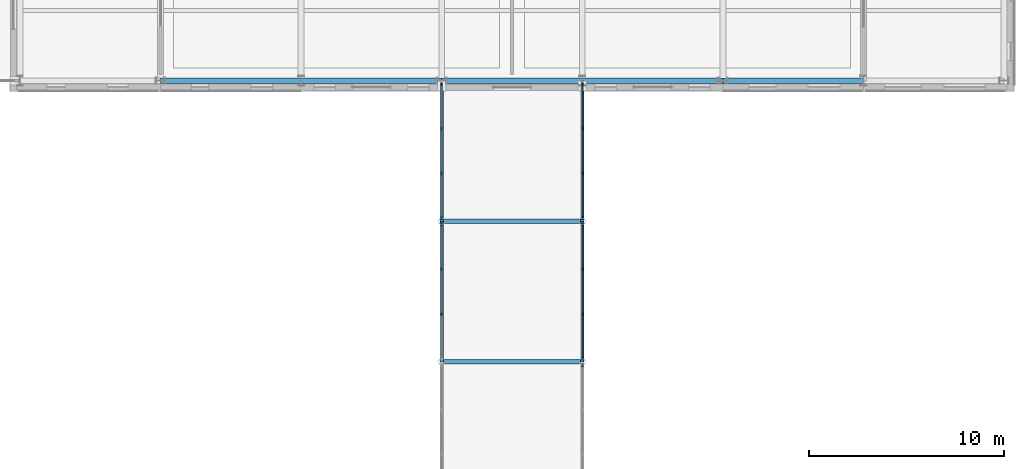
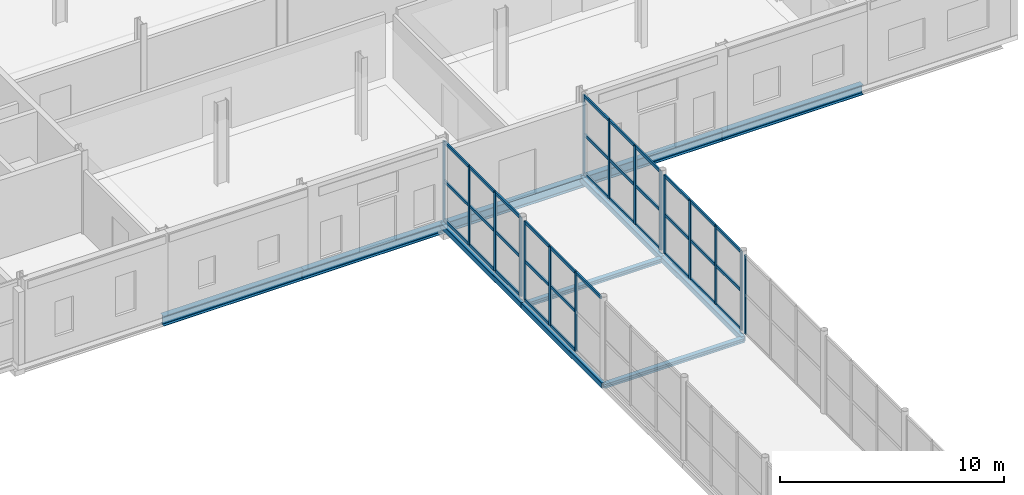
# One storey, part 37 of 92: 50 members, 11 beams, 5 elements without a shape of their own.
"""IFC4 building model written with IfcOpenShell, lengths in metres."""

from ifc_helpers import new_model, si_unit, direction, frame, origin, origin_2d, place, context, subcontext, project, spatial, rectangle, hollow_rectangle, i_section, extrude, material, material_profile, profile_set, type_object, element, aggregate, save


model = new_model("IFC4")

# Units and contexts
model_context = context("Model", 3, precision=1e-05, world=origin(), true_north=direction((0.0, 1.0)))
body_context = subcontext(model_context, "Body", "Model", "MODEL_VIEW")
ifc_project = project(units=[si_unit("LENGTHUNIT", "METRE"), si_unit("AREAUNIT", "SQUARE_METRE"), si_unit("VOLUMEUNIT", "CUBIC_METRE"), si_unit("PLANEANGLEUNIT", "RADIAN"), si_unit("MASSUNIT", "GRAM", prefix="KILO")], contexts=[model_context])

# Site, building, storey
site_placement = place(None, origin())
site = spatial("IfcSite", under=ifc_project, at=site_placement, CompositionType="ELEMENT")
building_placement = place(site_placement, origin())
building = spatial("IfcBuilding", under=site, at=building_placement, Name="Zlatovets Crest Museum", CompositionType="ELEMENT")
storey_placement = place(building_placement, origin())
storey = spatial("IfcBuildingStorey", under=building, at=storey_placement, Name="L00", CompositionType="ELEMENT", Elevation=0.0)

# Beams
ifc_material_1 = material(Name="Structural steel S355J2", Category="steel")
ifc_material_profile_1 = material_profile(ifc_material_1, i_section(OverallWidth=0.239990234375, OverallDepth=0.22998046875, WebThickness=0.007568359375, FlangeThickness=0.011962890625, FilletRadius=0.02099609375, at=origin_2d()), Name="HEA 240")
ifc_profile_set_1 = profile_set([ifc_material_profile_1], Name="Structural steel S355J2")
beam_type_1 = type_object("IfcBeamType", Name="Beam_B-06", PredefinedType="BEAM", material=ifc_profile_set_1)
for number, where, z_axis, x_axis, name in (
    (1, (79.199951171875, 72.0, -0.39990234375), (1.0, 0.0, 0.0), (0.0, 1.0, 0.0), "Central Sculpture Court Cloister and Skywalk L00 Cross Beam"),
    (2, (79.199951171875, 79.199951171875, -0.39990234375), (1.0, 0.0, 0.0), (0.0, 1.0, 0.0), "Central Sculpture Court Cloister and Skywalk L00 Cross Beam"),
):
    element("IfcBeam", number, at=place(storey_placement, frame(where, z_axis=z_axis, x_axis=x_axis)), inside=storey, type_object=beam_type_1, Name=name, PredefinedType="BEAM", context=body_context, shape_type="SweptSolid", body=[
        extrude(i_section(OverallWidth=0.239990234375, OverallDepth=0.22998046875, WebThickness=0.007568359375, FlangeThickness=0.011962890625, FilletRadius=0.02099609375, at=origin_2d()), origin(), (0.0, 0.0, 1.0), 7.199951171875),
    ])
ifc_material_profile_2 = material_profile(ifc_material_1, i_section(OverallWidth=0.300048828125, OverallDepth=0.5400390625, WebThickness=0.012451171875, FlangeThickness=0.02392578125, FilletRadius=0.027099609375, at=origin_2d()), Name="HEA 550")
ifc_profile_set_2 = profile_set([ifc_material_profile_2], Name="Structural steel S355J2")
beam_type_2 = type_object("IfcBeamType", Name="Beam_B-09", PredefinedType="BEAM", material=ifc_profile_set_2)
for number, where, z_axis, x_axis, name in (
    (3, (64.800048828125, 86.39990234375, -0.52001953125), (1.0, 0.0, 0.0), (0.0, 1.0, 0.0), "V1 L00 Primary Girder B-09"),
    (4, (72.0, 86.39990234375, -0.52001953125), (1.0, 0.0, 0.0), (0.0, 1.0, 0.0), "V1 L00 Primary Girder B-09"),
    (5, (79.199951171875, 86.39990234375, -0.52001953125), (1.0, 0.0, 0.0), (0.0, 1.0, 0.0), "V1 L00 Primary Girder B-09"),
):
    element("IfcBeam", number, at=place(storey_placement, frame(where, z_axis=z_axis, x_axis=x_axis)), inside=storey, type_object=beam_type_2, Name=name, PredefinedType="BEAM", context=body_context, shape_type="SweptSolid", body=[
        extrude(i_section(OverallWidth=0.300048828125, OverallDepth=0.5400390625, WebThickness=0.012451171875, FlangeThickness=0.02392578125, FilletRadius=0.027099609375, at=origin_2d()), origin(), (0.0, 0.0, 1.0), 7.199951171875),
    ])
beam_1_placement = place(storey_placement, frame((86.39990234375, 86.39990234375, -0.52001953125), z_axis=(1.0, 0.0, 0.0), x_axis=(0.0, 1.0, 0.0)))
element("IfcBeam", 6, at=beam_1_placement, inside=storey, type_object=beam_type_2, Name="V1 L00 Primary Girder B-09", PredefinedType="BEAM", context=body_context, shape_type="SweptSolid", body=[
    extrude(i_section(OverallWidth=0.300048828125, OverallDepth=0.5400390625, WebThickness=0.012451171875, FlangeThickness=0.02392578125, FilletRadius=0.027099609375, at=origin_2d()), origin(), (0.0, 0.0, 1.0), 7.2001953125),
])
beam_2_placement = place(storey_placement, frame((93.60009765625, 86.39990234375, -0.52001953125), z_axis=(1.0, 0.0, 0.0), x_axis=(0.0, 1.0, 0.0)))
element("IfcBeam", 7, at=beam_2_placement, inside=storey, type_object=beam_type_2, Name="V1 L00 Primary Girder B-09", PredefinedType="BEAM", context=body_context, shape_type="SweptSolid", body=[
    extrude(i_section(OverallWidth=0.300048828125, OverallDepth=0.5400390625, WebThickness=0.012451171875, FlangeThickness=0.02392578125, FilletRadius=0.027099609375, at=origin_2d()), origin(), (0.0, 0.0, 1.0), 7.199951171875),
])
ifc_material_profile_3 = material_profile(ifc_material_1, hollow_rectangle(XDim=0.199951171875, YDim=0.300048828125, WallThickness=0.012451171875, InnerFilletRadius=0.012451171875, OuterFilletRadius=0.02490234375, at=origin_2d()), Name="RHS 200x300x12.5")
ifc_profile_set_3 = profile_set([ifc_material_profile_3], Name="Structural steel S355J2")
beam_type_3 = type_object("IfcBeamType", Name="Beam_BRG-01", PredefinedType="BEAM", material=ifc_profile_set_3)
for number, where, z_axis, x_axis, name in (
    (8, (79.199951171875, 72.0, -0.39990234375), (0.0, 1.0, 0.0), (-1.0, 0.0, 0.0), "Central Sculpture Court Cloister and Skywalk L00 Stringer Beam"),
    (9, (79.199951171875, 79.199951171875, -0.39990234375), (0.0, 1.0, 0.0), (-1.0, 0.0, 0.0), "Central Sculpture Court Cloister and Skywalk L00 Stringer Beam"),
    (10, (86.39990234375, 72.0, -0.39990234375), (0.0, 1.0, 0.0), (-1.0, 0.0, 0.0), "Central Sculpture Court Cloister and Skywalk L00 Stringer Beam"),
    (11, (86.39990234375, 79.199951171875, -0.39990234375), (0.0, 1.0, 0.0), (-1.0, 0.0, 0.0), "Central Sculpture Court Cloister and Skywalk L00 Stringer Beam"),
):
    element("IfcBeam", number, at=place(storey_placement, frame(where, z_axis=z_axis, x_axis=x_axis)), inside=storey, type_object=beam_type_3, Name=name, PredefinedType="BEAM", context=body_context, shape_type="SweptSolid", body=[
        extrude(hollow_rectangle(XDim=0.199951171875, YDim=0.300048828125, WallThickness=0.012451171875, InnerFilletRadius=0.012451171875, OuterFilletRadius=0.02490234375, at=origin_2d()), origin(), (0.0, 0.0, 1.0), 7.199951171875),
    ])

# Curtain wall, members
ifc_material_2 = material(Name="Bronze-anodised aluminium and low-E triple glass", Category="aluminium")
curtain_wall_type = type_object("IfcCurtainWallType", Name="CW_CW-BR5-L00-S69", PredefinedType="NOTDEFINED", material=ifc_material_2)
curtain_wall_1_placement = place(storey_placement, origin())
curtain_wall_1 = element("IfcCurtainWall", 12, at=curtain_wall_1_placement, inside=storey, type_object=curtain_wall_type, Name="Central Sculpture Court Cloister and Skywalk L00 Glazed Bridge Curtain Wall", PredefinedType="NOTDEFINED")
ifc_material_3 = material(Name="Bronze-anodised aluminium EN AW-6060", Category="aluminium")
ifc_material_profile_4 = material_profile(ifc_material_3, rectangle(XDim=0.080078125, YDim=0.159912109375, at=origin_2d()), Name="ALU 80x160")
ifc_profile_set_4 = profile_set([ifc_material_profile_4], Name="Bronze-anodised aluminium EN AW-6060")
member_type_1 = type_object("IfcMemberType", Name="CWMull_M1", PredefinedType="MULLION", material=ifc_profile_set_4)
member_1_placement = place(storey_placement, frame((79.199951171875, 74.449951171875, 0.0), z_axis=(0.0, 0.0, 1.0), x_axis=(-1.0, 0.0, 0.0)))
member_1 = element("IfcMember", 13, at=member_1_placement, type_object=member_type_1, Name="CW-BR5-L00-S69 mullion 2", PredefinedType="MULLION", context=body_context, shape_type="SweptSolid", body=[
    extrude(rectangle(XDim=0.080078125, YDim=0.159912109375, at=origin_2d()), origin(), (0.0, 0.0, 1.0), 4.280029296875),
])
member_2_placement = place(storey_placement, frame((79.199951171875, 76.75, 0.0), z_axis=(0.0, 0.0, 1.0), x_axis=(-1.0, 0.0, 0.0)))
member_2 = element("IfcMember", 14, at=member_2_placement, type_object=member_type_1, Name="CW-BR5-L00-S69 mullion 3", PredefinedType="MULLION", context=body_context, shape_type="SweptSolid", body=[
    extrude(rectangle(XDim=0.080078125, YDim=0.159912109375, at=origin_2d()), origin(), (0.0, 0.0, 1.0), 4.280029296875),
])
member_3_placement = place(storey_placement, frame((79.199951171875, 79.02001953125, 0.0), z_axis=(0.0, 0.0, 1.0), x_axis=(-1.0, 0.0, 0.0)))
member_3 = element("IfcMember", 15, at=member_3_placement, type_object=member_type_1, Name="CW-BR5-L00-S69 mullion 4", PredefinedType="MULLION", context=body_context, shape_type="SweptSolid", body=[
    extrude(rectangle(XDim=0.080078125, YDim=0.159912109375, at=origin_2d()), origin(), (0.0, 0.0, 1.0), 4.280029296875),
])

curtain_wall_2_placement = place(storey_placement, origin())
curtain_wall_2 = element("IfcCurtainWall", 16, at=curtain_wall_2_placement, inside=storey, type_object=curtain_wall_type, Name="Central Sculpture Court Cloister and Skywalk L00 Glazed Bridge Curtain Wall", PredefinedType="NOTDEFINED")
member_4_placement = place(storey_placement, frame((79.199951171875, 79.3798828125, 0.0), z_axis=(0.0, 0.0, 1.0), x_axis=(-1.0, 0.0, 0.0)))
member_4 = element("IfcMember", 17, at=member_4_placement, type_object=member_type_1, Name="CW-BR5-L00-S69 mullion 1", PredefinedType="MULLION", context=body_context, shape_type="SweptSolid", body=[
    extrude(rectangle(XDim=0.080078125, YDim=0.159912109375, at=origin_2d()), origin(), (0.0, 0.0, 1.0), 4.280029296875),
])
member_5_placement = place(storey_placement, frame((79.199951171875, 81.64990234375, 0.0), z_axis=(0.0, 0.0, 1.0), x_axis=(-1.0, 0.0, 0.0)))
member_5 = element("IfcMember", 18, at=member_5_placement, type_object=member_type_1, Name="CW-BR5-L00-S69 mullion 2", PredefinedType="MULLION", context=body_context, shape_type="SweptSolid", body=[
    extrude(rectangle(XDim=0.080078125, YDim=0.159912109375, at=origin_2d()), origin(), (0.0, 0.0, 1.0), 4.280029296875),
])
member_6_placement = place(storey_placement, frame((79.199951171875, 83.949951171875, 0.0), z_axis=(0.0, 0.0, 1.0), x_axis=(-1.0, 0.0, 0.0)))
member_6 = element("IfcMember", 19, at=member_6_placement, type_object=member_type_1, Name="CW-BR5-L00-S69 mullion 3", PredefinedType="MULLION", context=body_context, shape_type="SweptSolid", body=[
    extrude(rectangle(XDim=0.080078125, YDim=0.159912109375, at=origin_2d()), origin(), (0.0, 0.0, 1.0), 4.280029296875),
])
member_7_placement = place(storey_placement, frame((79.199951171875, 86.219970703125, 0.0), z_axis=(0.0, 0.0, 1.0), x_axis=(-1.0, 0.0, 0.0)))
member_7 = element("IfcMember", 20, at=member_7_placement, type_object=member_type_1, Name="CW-BR5-L00-S69 mullion 4", PredefinedType="MULLION", context=body_context, shape_type="SweptSolid", body=[
    extrude(rectangle(XDim=0.080078125, YDim=0.159912109375, at=origin_2d()), origin(), (0.0, 0.0, 1.0), 4.280029296875),
])

# Curtain wall, member
curtain_wall_3_placement = place(storey_placement, origin())
curtain_wall_3 = element("IfcCurtainWall", 21, at=curtain_wall_3_placement, inside=storey, type_object=curtain_wall_type, Name="Central Sculpture Court Cloister and Skywalk L00 Glazed Bridge Curtain Wall", PredefinedType="NOTDEFINED")
member_8_placement = place(storey_placement, frame((86.39990234375, 71.820068359375, 0.0), z_axis=(0.0, 0.0, 1.0), x_axis=(-1.0, 0.0, 0.0)))
member_8 = element("IfcMember", 22, at=member_8_placement, type_object=member_type_1, Name="CW-BR5-L00-S69 mullion 4", PredefinedType="MULLION", context=body_context, shape_type="SweptSolid", body=[
    extrude(rectangle(XDim=0.080078125, YDim=0.159912109375, at=origin_2d()), origin(), (0.0, 0.0, 1.0), 4.280029296875),
])
aggregate(curtain_wall_3, [member_8])

# Curtain wall, members
curtain_wall_4_placement = place(storey_placement, origin())
curtain_wall_4 = element("IfcCurtainWall", 23, at=curtain_wall_4_placement, inside=storey, type_object=curtain_wall_type, Name="Central Sculpture Court Cloister and Skywalk L00 Glazed Bridge Curtain Wall", PredefinedType="NOTDEFINED")
member_9_placement = place(storey_placement, frame((86.39990234375, 72.179931640625, 0.0), z_axis=(0.0, 0.0, 1.0), x_axis=(-1.0, 0.0, 0.0)))
member_9 = element("IfcMember", 24, at=member_9_placement, type_object=member_type_1, Name="CW-BR5-L00-S69 mullion 1", PredefinedType="MULLION", context=body_context, shape_type="SweptSolid", body=[
    extrude(rectangle(XDim=0.080078125, YDim=0.159912109375, at=origin_2d()), origin(), (0.0, 0.0, 1.0), 4.280029296875),
])
member_10_placement = place(storey_placement, frame((86.39990234375, 74.449951171875, 0.0), z_axis=(0.0, 0.0, 1.0), x_axis=(-1.0, 0.0, 0.0)))
member_10 = element("IfcMember", 25, at=member_10_placement, type_object=member_type_1, Name="CW-BR5-L00-S69 mullion 2", PredefinedType="MULLION", context=body_context, shape_type="SweptSolid", body=[
    extrude(rectangle(XDim=0.080078125, YDim=0.159912109375, at=origin_2d()), origin(), (0.0, 0.0, 1.0), 4.280029296875),
])
member_11_placement = place(storey_placement, frame((86.39990234375, 76.75, 0.0), z_axis=(0.0, 0.0, 1.0), x_axis=(-1.0, 0.0, 0.0)))
member_11 = element("IfcMember", 26, at=member_11_placement, type_object=member_type_1, Name="CW-BR5-L00-S69 mullion 3", PredefinedType="MULLION", context=body_context, shape_type="SweptSolid", body=[
    extrude(rectangle(XDim=0.080078125, YDim=0.159912109375, at=origin_2d()), origin(), (0.0, 0.0, 1.0), 4.280029296875),
])
member_12_placement = place(storey_placement, frame((86.39990234375, 79.02001953125, 0.0), z_axis=(0.0, 0.0, 1.0), x_axis=(-1.0, 0.0, 0.0)))
member_12 = element("IfcMember", 27, at=member_12_placement, type_object=member_type_1, Name="CW-BR5-L00-S69 mullion 4", PredefinedType="MULLION", context=body_context, shape_type="SweptSolid", body=[
    extrude(rectangle(XDim=0.080078125, YDim=0.159912109375, at=origin_2d()), origin(), (0.0, 0.0, 1.0), 4.280029296875),
])

curtain_wall_5_placement = place(storey_placement, origin())
curtain_wall_5 = element("IfcCurtainWall", 28, at=curtain_wall_5_placement, inside=storey, type_object=curtain_wall_type, Name="Central Sculpture Court Cloister and Skywalk L00 Glazed Bridge Curtain Wall", PredefinedType="NOTDEFINED")
member_13_placement = place(storey_placement, frame((86.39990234375, 79.3798828125, 0.0), z_axis=(0.0, 0.0, 1.0), x_axis=(-1.0, 0.0, 0.0)))
member_13 = element("IfcMember", 29, at=member_13_placement, type_object=member_type_1, Name="CW-BR5-L00-S69 mullion 1", PredefinedType="MULLION", context=body_context, shape_type="SweptSolid", body=[
    extrude(rectangle(XDim=0.080078125, YDim=0.159912109375, at=origin_2d()), origin(), (0.0, 0.0, 1.0), 4.280029296875),
])
member_14_placement = place(storey_placement, frame((86.39990234375, 81.64990234375, 0.0), z_axis=(0.0, 0.0, 1.0), x_axis=(-1.0, 0.0, 0.0)))
member_14 = element("IfcMember", 30, at=member_14_placement, type_object=member_type_1, Name="CW-BR5-L00-S69 mullion 2", PredefinedType="MULLION", context=body_context, shape_type="SweptSolid", body=[
    extrude(rectangle(XDim=0.080078125, YDim=0.159912109375, at=origin_2d()), origin(), (0.0, 0.0, 1.0), 4.280029296875),
])
member_15_placement = place(storey_placement, frame((86.39990234375, 83.949951171875, 0.0), z_axis=(0.0, 0.0, 1.0), x_axis=(-1.0, 0.0, 0.0)))
member_15 = element("IfcMember", 31, at=member_15_placement, type_object=member_type_1, Name="CW-BR5-L00-S69 mullion 3", PredefinedType="MULLION", context=body_context, shape_type="SweptSolid", body=[
    extrude(rectangle(XDim=0.080078125, YDim=0.159912109375, at=origin_2d()), origin(), (0.0, 0.0, 1.0), 4.280029296875),
])
member_16_placement = place(storey_placement, frame((86.39990234375, 86.219970703125, 0.0), z_axis=(0.0, 0.0, 1.0), x_axis=(-1.0, 0.0, 0.0)))
member_16 = element("IfcMember", 32, at=member_16_placement, type_object=member_type_1, Name="CW-BR5-L00-S69 mullion 4", PredefinedType="MULLION", context=body_context, shape_type="SweptSolid", body=[
    extrude(rectangle(XDim=0.080078125, YDim=0.159912109375, at=origin_2d()), origin(), (0.0, 0.0, 1.0), 4.280029296875),
])

# Member
ifc_material_profile_5 = material_profile(ifc_material_3, rectangle(XDim=0.080078125, YDim=0.159912109375, at=origin_2d()), Name="ALU 80x160")
ifc_profile_set_5 = profile_set([ifc_material_profile_5], Name="Bronze-anodised aluminium EN AW-6060")
member_type_2 = type_object("IfcMemberType", Name="CWTrans_T1", PredefinedType="USERDEFINED", material=ifc_profile_set_5)
member_17_placement = place(storey_placement, frame((79.199951171875, 72.2099609375, 4.25), z_axis=(0.0, 1.0, 0.0), x_axis=(-1.0, 0.0, 0.0)))
member_17 = element("IfcMember", 33, at=member_17_placement, type_object=member_type_2, Name="CW-BR5-L00-S69 transom 1.3", ObjectType="TRANSOM", PredefinedType="USERDEFINED", context=body_context, shape_type="SweptSolid", body=[
    extrude(rectangle(XDim=0.080078125, YDim=0.159912109375, at=origin_2d()), origin(), (0.0, 0.0, 1.0), 2.2099609375),
])

member_18_placement = place(storey_placement, frame((79.199951171875, 74.47998046875, 0.030029296875), z_axis=(0.0, 1.0, 0.0), x_axis=(-1.0, 0.0, 0.0)))
member_18 = element("IfcMember", 34, at=member_18_placement, type_object=member_type_2, Name="CW-BR5-L00-S69 transom 2.1", ObjectType="TRANSOM", PredefinedType="USERDEFINED", context=body_context, shape_type="SweptSolid", body=[
    extrude(rectangle(XDim=0.080078125, YDim=0.159912109375, at=origin_2d()), origin(), (0.0, 0.0, 1.0), 2.239990234375),
])

member_19_placement = place(storey_placement, frame((79.199951171875, 74.47998046875, 2.139892578125), z_axis=(0.0, 1.0, 0.0), x_axis=(-1.0, 0.0, 0.0)))
member_19 = element("IfcMember", 35, at=member_19_placement, type_object=member_type_2, Name="CW-BR5-L00-S69 transom 2.2", ObjectType="TRANSOM", PredefinedType="USERDEFINED", context=body_context, shape_type="SweptSolid", body=[
    extrude(rectangle(XDim=0.080078125, YDim=0.159912109375, at=origin_2d()), origin(), (0.0, 0.0, 1.0), 2.239990234375),
])

member_20_placement = place(storey_placement, frame((79.199951171875, 74.47998046875, 4.25), z_axis=(0.0, 1.0, 0.0), x_axis=(-1.0, 0.0, 0.0)))
member_20 = element("IfcMember", 36, at=member_20_placement, type_object=member_type_2, Name="CW-BR5-L00-S69 transom 2.3", ObjectType="TRANSOM", PredefinedType="USERDEFINED", context=body_context, shape_type="SweptSolid", body=[
    extrude(rectangle(XDim=0.080078125, YDim=0.159912109375, at=origin_2d()), origin(), (0.0, 0.0, 1.0), 2.239990234375),
])

member_21_placement = place(storey_placement, frame((79.199951171875, 76.780029296875, 0.030029296875), z_axis=(0.0, 1.0, 0.0), x_axis=(-1.0, 0.0, 0.0)))
member_21 = element("IfcMember", 37, at=member_21_placement, type_object=member_type_2, Name="CW-BR5-L00-S69 transom 3.1", ObjectType="TRANSOM", PredefinedType="USERDEFINED", context=body_context, shape_type="SweptSolid", body=[
    extrude(rectangle(XDim=0.080078125, YDim=0.159912109375, at=origin_2d()), origin(), (0.0, 0.0, 1.0), 2.2099609375),
])

member_22_placement = place(storey_placement, frame((79.199951171875, 76.780029296875, 2.139892578125), z_axis=(0.0, 1.0, 0.0), x_axis=(-1.0, 0.0, 0.0)))
member_22 = element("IfcMember", 38, at=member_22_placement, type_object=member_type_2, Name="CW-BR5-L00-S69 transom 3.2", ObjectType="TRANSOM", PredefinedType="USERDEFINED", context=body_context, shape_type="SweptSolid", body=[
    extrude(rectangle(XDim=0.080078125, YDim=0.159912109375, at=origin_2d()), origin(), (0.0, 0.0, 1.0), 2.2099609375),
])

member_23_placement = place(storey_placement, frame((79.199951171875, 76.780029296875, 4.25), z_axis=(0.0, 1.0, 0.0), x_axis=(-1.0, 0.0, 0.0)))
member_23 = element("IfcMember", 39, at=member_23_placement, type_object=member_type_2, Name="CW-BR5-L00-S69 transom 3.3", ObjectType="TRANSOM", PredefinedType="USERDEFINED", context=body_context, shape_type="SweptSolid", body=[
    extrude(rectangle(XDim=0.080078125, YDim=0.159912109375, at=origin_2d()), origin(), (0.0, 0.0, 1.0), 2.2099609375),
])

aggregate(curtain_wall_1, [member_1, member_2, member_3, member_17, member_18, member_19, member_20, member_21, member_22, member_23])

member_24_placement = place(storey_placement, frame((79.199951171875, 79.409912109375, 0.030029296875), z_axis=(0.0, 1.0, 0.0), x_axis=(-1.0, 0.0, 0.0)))
member_24 = element("IfcMember", 40, at=member_24_placement, type_object=member_type_2, Name="CW-BR5-L00-S69 transom 1.1", ObjectType="TRANSOM", PredefinedType="USERDEFINED", context=body_context, shape_type="SweptSolid", body=[
    extrude(rectangle(XDim=0.080078125, YDim=0.159912109375, at=origin_2d()), origin(), (0.0, 0.0, 1.0), 2.210205078125),
])

member_25_placement = place(storey_placement, frame((79.199951171875, 79.409912109375, 2.139892578125), z_axis=(0.0, 1.0, 0.0), x_axis=(-1.0, 0.0, 0.0)))
member_25 = element("IfcMember", 41, at=member_25_placement, type_object=member_type_2, Name="CW-BR5-L00-S69 transom 1.2", ObjectType="TRANSOM", PredefinedType="USERDEFINED", context=body_context, shape_type="SweptSolid", body=[
    extrude(rectangle(XDim=0.080078125, YDim=0.159912109375, at=origin_2d()), origin(), (0.0, 0.0, 1.0), 2.210205078125),
])

member_26_placement = place(storey_placement, frame((79.199951171875, 79.409912109375, 4.25), z_axis=(0.0, 1.0, 0.0), x_axis=(-1.0, 0.0, 0.0)))
member_26 = element("IfcMember", 42, at=member_26_placement, type_object=member_type_2, Name="CW-BR5-L00-S69 transom 1.3", ObjectType="TRANSOM", PredefinedType="USERDEFINED", context=body_context, shape_type="SweptSolid", body=[
    extrude(rectangle(XDim=0.080078125, YDim=0.159912109375, at=origin_2d()), origin(), (0.0, 0.0, 1.0), 2.210205078125),
])

member_27_placement = place(storey_placement, frame((79.199951171875, 81.679931640625, 0.030029296875), z_axis=(0.0, 1.0, 0.0), x_axis=(-1.0, 0.0, 0.0)))
member_27 = element("IfcMember", 43, at=member_27_placement, type_object=member_type_2, Name="CW-BR5-L00-S69 transom 2.1", ObjectType="TRANSOM", PredefinedType="USERDEFINED", context=body_context, shape_type="SweptSolid", body=[
    extrude(rectangle(XDim=0.080078125, YDim=0.159912109375, at=origin_2d()), origin(), (0.0, 0.0, 1.0), 2.239990234375),
])

member_28_placement = place(storey_placement, frame((79.199951171875, 81.679931640625, 2.139892578125), z_axis=(0.0, 1.0, 0.0), x_axis=(-1.0, 0.0, 0.0)))
member_28 = element("IfcMember", 44, at=member_28_placement, type_object=member_type_2, Name="CW-BR5-L00-S69 transom 2.2", ObjectType="TRANSOM", PredefinedType="USERDEFINED", context=body_context, shape_type="SweptSolid", body=[
    extrude(rectangle(XDim=0.080078125, YDim=0.159912109375, at=origin_2d()), origin(), (0.0, 0.0, 1.0), 2.239990234375),
])

member_29_placement = place(storey_placement, frame((79.199951171875, 81.679931640625, 4.25), z_axis=(0.0, 1.0, 0.0), x_axis=(-1.0, 0.0, 0.0)))
member_29 = element("IfcMember", 45, at=member_29_placement, type_object=member_type_2, Name="CW-BR5-L00-S69 transom 2.3", ObjectType="TRANSOM", PredefinedType="USERDEFINED", context=body_context, shape_type="SweptSolid", body=[
    extrude(rectangle(XDim=0.080078125, YDim=0.159912109375, at=origin_2d()), origin(), (0.0, 0.0, 1.0), 2.239990234375),
])

member_30_placement = place(storey_placement, frame((79.199951171875, 83.97998046875, 0.030029296875), z_axis=(0.0, 1.0, 0.0), x_axis=(-1.0, 0.0, 0.0)))
member_30 = element("IfcMember", 46, at=member_30_placement, type_object=member_type_2, Name="CW-BR5-L00-S69 transom 3.1", ObjectType="TRANSOM", PredefinedType="USERDEFINED", context=body_context, shape_type="SweptSolid", body=[
    extrude(rectangle(XDim=0.080078125, YDim=0.159912109375, at=origin_2d()), origin(), (0.0, 0.0, 1.0), 2.2099609375),
])

member_31_placement = place(storey_placement, frame((79.199951171875, 83.97998046875, 2.139892578125), z_axis=(0.0, 1.0, 0.0), x_axis=(-1.0, 0.0, 0.0)))
member_31 = element("IfcMember", 47, at=member_31_placement, type_object=member_type_2, Name="CW-BR5-L00-S69 transom 3.2", ObjectType="TRANSOM", PredefinedType="USERDEFINED", context=body_context, shape_type="SweptSolid", body=[
    extrude(rectangle(XDim=0.080078125, YDim=0.159912109375, at=origin_2d()), origin(), (0.0, 0.0, 1.0), 2.2099609375),
])

member_32_placement = place(storey_placement, frame((79.199951171875, 83.97998046875, 4.25), z_axis=(0.0, 1.0, 0.0), x_axis=(-1.0, 0.0, 0.0)))
member_32 = element("IfcMember", 48, at=member_32_placement, type_object=member_type_2, Name="CW-BR5-L00-S69 transom 3.3", ObjectType="TRANSOM", PredefinedType="USERDEFINED", context=body_context, shape_type="SweptSolid", body=[
    extrude(rectangle(XDim=0.080078125, YDim=0.159912109375, at=origin_2d()), origin(), (0.0, 0.0, 1.0), 2.2099609375),
])

aggregate(curtain_wall_2, [member_4, member_5, member_6, member_7, member_24, member_25, member_26, member_27, member_28, member_29, member_30, member_31, member_32])

member_33_placement = place(storey_placement, frame((86.39990234375, 72.2099609375, 0.030029296875), z_axis=(0.0, 1.0, 0.0), x_axis=(-1.0, 0.0, 0.0)))
member_33 = element("IfcMember", 49, at=member_33_placement, type_object=member_type_2, Name="CW-BR5-L00-S69 transom 1.1", ObjectType="TRANSOM", PredefinedType="USERDEFINED", context=body_context, shape_type="SweptSolid", body=[
    extrude(rectangle(XDim=0.080078125, YDim=0.159912109375, at=origin_2d()), origin(), (0.0, 0.0, 1.0), 2.2099609375),
])

member_34_placement = place(storey_placement, frame((86.39990234375, 72.2099609375, 2.139892578125), z_axis=(0.0, 1.0, 0.0), x_axis=(-1.0, 0.0, 0.0)))
member_34 = element("IfcMember", 50, at=member_34_placement, type_object=member_type_2, Name="CW-BR5-L00-S69 transom 1.2", ObjectType="TRANSOM", PredefinedType="USERDEFINED", context=body_context, shape_type="SweptSolid", body=[
    extrude(rectangle(XDim=0.080078125, YDim=0.159912109375, at=origin_2d()), origin(), (0.0, 0.0, 1.0), 2.2099609375),
])

member_35_placement = place(storey_placement, frame((86.39990234375, 72.2099609375, 4.25), z_axis=(0.0, 1.0, 0.0), x_axis=(-1.0, 0.0, 0.0)))
member_35 = element("IfcMember", 51, at=member_35_placement, type_object=member_type_2, Name="CW-BR5-L00-S69 transom 1.3", ObjectType="TRANSOM", PredefinedType="USERDEFINED", context=body_context, shape_type="SweptSolid", body=[
    extrude(rectangle(XDim=0.080078125, YDim=0.159912109375, at=origin_2d()), origin(), (0.0, 0.0, 1.0), 2.2099609375),
])

member_36_placement = place(storey_placement, frame((86.39990234375, 74.47998046875, 0.030029296875), z_axis=(0.0, 1.0, 0.0), x_axis=(-1.0, 0.0, 0.0)))
member_36 = element("IfcMember", 52, at=member_36_placement, type_object=member_type_2, Name="CW-BR5-L00-S69 transom 2.1", ObjectType="TRANSOM", PredefinedType="USERDEFINED", context=body_context, shape_type="SweptSolid", body=[
    extrude(rectangle(XDim=0.080078125, YDim=0.159912109375, at=origin_2d()), origin(), (0.0, 0.0, 1.0), 2.239990234375),
])

member_37_placement = place(storey_placement, frame((86.39990234375, 74.47998046875, 2.139892578125), z_axis=(0.0, 1.0, 0.0), x_axis=(-1.0, 0.0, 0.0)))
member_37 = element("IfcMember", 53, at=member_37_placement, type_object=member_type_2, Name="CW-BR5-L00-S69 transom 2.2", ObjectType="TRANSOM", PredefinedType="USERDEFINED", context=body_context, shape_type="SweptSolid", body=[
    extrude(rectangle(XDim=0.080078125, YDim=0.159912109375, at=origin_2d()), origin(), (0.0, 0.0, 1.0), 2.239990234375),
])

member_38_placement = place(storey_placement, frame((86.39990234375, 74.47998046875, 4.25), z_axis=(0.0, 1.0, 0.0), x_axis=(-1.0, 0.0, 0.0)))
member_38 = element("IfcMember", 54, at=member_38_placement, type_object=member_type_2, Name="CW-BR5-L00-S69 transom 2.3", ObjectType="TRANSOM", PredefinedType="USERDEFINED", context=body_context, shape_type="SweptSolid", body=[
    extrude(rectangle(XDim=0.080078125, YDim=0.159912109375, at=origin_2d()), origin(), (0.0, 0.0, 1.0), 2.239990234375),
])

member_39_placement = place(storey_placement, frame((86.39990234375, 76.780029296875, 0.030029296875), z_axis=(0.0, 1.0, 0.0), x_axis=(-1.0, 0.0, 0.0)))
member_39 = element("IfcMember", 55, at=member_39_placement, type_object=member_type_2, Name="CW-BR5-L00-S69 transom 3.1", ObjectType="TRANSOM", PredefinedType="USERDEFINED", context=body_context, shape_type="SweptSolid", body=[
    extrude(rectangle(XDim=0.080078125, YDim=0.159912109375, at=origin_2d()), origin(), (0.0, 0.0, 1.0), 2.2099609375),
])

member_40_placement = place(storey_placement, frame((86.39990234375, 76.780029296875, 2.139892578125), z_axis=(0.0, 1.0, 0.0), x_axis=(-1.0, 0.0, 0.0)))
member_40 = element("IfcMember", 56, at=member_40_placement, type_object=member_type_2, Name="CW-BR5-L00-S69 transom 3.2", ObjectType="TRANSOM", PredefinedType="USERDEFINED", context=body_context, shape_type="SweptSolid", body=[
    extrude(rectangle(XDim=0.080078125, YDim=0.159912109375, at=origin_2d()), origin(), (0.0, 0.0, 1.0), 2.2099609375),
])

member_41_placement = place(storey_placement, frame((86.39990234375, 76.780029296875, 4.25), z_axis=(0.0, 1.0, 0.0), x_axis=(-1.0, 0.0, 0.0)))
member_41 = element("IfcMember", 57, at=member_41_placement, type_object=member_type_2, Name="CW-BR5-L00-S69 transom 3.3", ObjectType="TRANSOM", PredefinedType="USERDEFINED", context=body_context, shape_type="SweptSolid", body=[
    extrude(rectangle(XDim=0.080078125, YDim=0.159912109375, at=origin_2d()), origin(), (0.0, 0.0, 1.0), 2.2099609375),
])

aggregate(curtain_wall_4, [member_9, member_10, member_11, member_12, member_33, member_34, member_35, member_36, member_37, member_38, member_39, member_40, member_41])

member_42_placement = place(storey_placement, frame((86.39990234375, 79.409912109375, 0.030029296875), z_axis=(0.0, 1.0, 0.0), x_axis=(-1.0, 0.0, 0.0)))
member_42 = element("IfcMember", 58, at=member_42_placement, type_object=member_type_2, Name="CW-BR5-L00-S69 transom 1.1", ObjectType="TRANSOM", PredefinedType="USERDEFINED", context=body_context, shape_type="SweptSolid", body=[
    extrude(rectangle(XDim=0.080078125, YDim=0.159912109375, at=origin_2d()), origin(), (0.0, 0.0, 1.0), 2.210205078125),
])

member_43_placement = place(storey_placement, frame((86.39990234375, 79.409912109375, 2.139892578125), z_axis=(0.0, 1.0, 0.0), x_axis=(-1.0, 0.0, 0.0)))
member_43 = element("IfcMember", 59, at=member_43_placement, type_object=member_type_2, Name="CW-BR5-L00-S69 transom 1.2", ObjectType="TRANSOM", PredefinedType="USERDEFINED", context=body_context, shape_type="SweptSolid", body=[
    extrude(rectangle(XDim=0.080078125, YDim=0.159912109375, at=origin_2d()), origin(), (0.0, 0.0, 1.0), 2.210205078125),
])

member_44_placement = place(storey_placement, frame((86.39990234375, 79.409912109375, 4.25), z_axis=(0.0, 1.0, 0.0), x_axis=(-1.0, 0.0, 0.0)))
member_44 = element("IfcMember", 60, at=member_44_placement, type_object=member_type_2, Name="CW-BR5-L00-S69 transom 1.3", ObjectType="TRANSOM", PredefinedType="USERDEFINED", context=body_context, shape_type="SweptSolid", body=[
    extrude(rectangle(XDim=0.080078125, YDim=0.159912109375, at=origin_2d()), origin(), (0.0, 0.0, 1.0), 2.210205078125),
])

member_45_placement = place(storey_placement, frame((86.39990234375, 81.679931640625, 0.030029296875), z_axis=(0.0, 1.0, 0.0), x_axis=(-1.0, 0.0, 0.0)))
member_45 = element("IfcMember", 61, at=member_45_placement, type_object=member_type_2, Name="CW-BR5-L00-S69 transom 2.1", ObjectType="TRANSOM", PredefinedType="USERDEFINED", context=body_context, shape_type="SweptSolid", body=[
    extrude(rectangle(XDim=0.080078125, YDim=0.159912109375, at=origin_2d()), origin(), (0.0, 0.0, 1.0), 2.239990234375),
])

member_46_placement = place(storey_placement, frame((86.39990234375, 81.679931640625, 2.139892578125), z_axis=(0.0, 1.0, 0.0), x_axis=(-1.0, 0.0, 0.0)))
member_46 = element("IfcMember", 62, at=member_46_placement, type_object=member_type_2, Name="CW-BR5-L00-S69 transom 2.2", ObjectType="TRANSOM", PredefinedType="USERDEFINED", context=body_context, shape_type="SweptSolid", body=[
    extrude(rectangle(XDim=0.080078125, YDim=0.159912109375, at=origin_2d()), origin(), (0.0, 0.0, 1.0), 2.239990234375),
])

member_47_placement = place(storey_placement, frame((86.39990234375, 81.679931640625, 4.25), z_axis=(0.0, 1.0, 0.0), x_axis=(-1.0, 0.0, 0.0)))
member_47 = element("IfcMember", 63, at=member_47_placement, type_object=member_type_2, Name="CW-BR5-L00-S69 transom 2.3", ObjectType="TRANSOM", PredefinedType="USERDEFINED", context=body_context, shape_type="SweptSolid", body=[
    extrude(rectangle(XDim=0.080078125, YDim=0.159912109375, at=origin_2d()), origin(), (0.0, 0.0, 1.0), 2.239990234375),
])

member_48_placement = place(storey_placement, frame((86.39990234375, 83.97998046875, 0.030029296875), z_axis=(0.0, 1.0, 0.0), x_axis=(-1.0, 0.0, 0.0)))
member_48 = element("IfcMember", 64, at=member_48_placement, type_object=member_type_2, Name="CW-BR5-L00-S69 transom 3.1", ObjectType="TRANSOM", PredefinedType="USERDEFINED", context=body_context, shape_type="SweptSolid", body=[
    extrude(rectangle(XDim=0.080078125, YDim=0.159912109375, at=origin_2d()), origin(), (0.0, 0.0, 1.0), 2.2099609375),
])

member_49_placement = place(storey_placement, frame((86.39990234375, 83.97998046875, 2.139892578125), z_axis=(0.0, 1.0, 0.0), x_axis=(-1.0, 0.0, 0.0)))
member_49 = element("IfcMember", 65, at=member_49_placement, type_object=member_type_2, Name="CW-BR5-L00-S69 transom 3.2", ObjectType="TRANSOM", PredefinedType="USERDEFINED", context=body_context, shape_type="SweptSolid", body=[
    extrude(rectangle(XDim=0.080078125, YDim=0.159912109375, at=origin_2d()), origin(), (0.0, 0.0, 1.0), 2.2099609375),
])

member_50_placement = place(storey_placement, frame((86.39990234375, 83.97998046875, 4.25), z_axis=(0.0, 1.0, 0.0), x_axis=(-1.0, 0.0, 0.0)))
member_50 = element("IfcMember", 66, at=member_50_placement, type_object=member_type_2, Name="CW-BR5-L00-S69 transom 3.3", ObjectType="TRANSOM", PredefinedType="USERDEFINED", context=body_context, shape_type="SweptSolid", body=[
    extrude(rectangle(XDim=0.080078125, YDim=0.159912109375, at=origin_2d()), origin(), (0.0, 0.0, 1.0), 2.2099609375),
])

aggregate(curtain_wall_5, [member_13, member_14, member_15, member_16, member_42, member_43, member_44, member_45, member_46, member_47, member_48, member_49, member_50])

save(model, "model.ifc")
